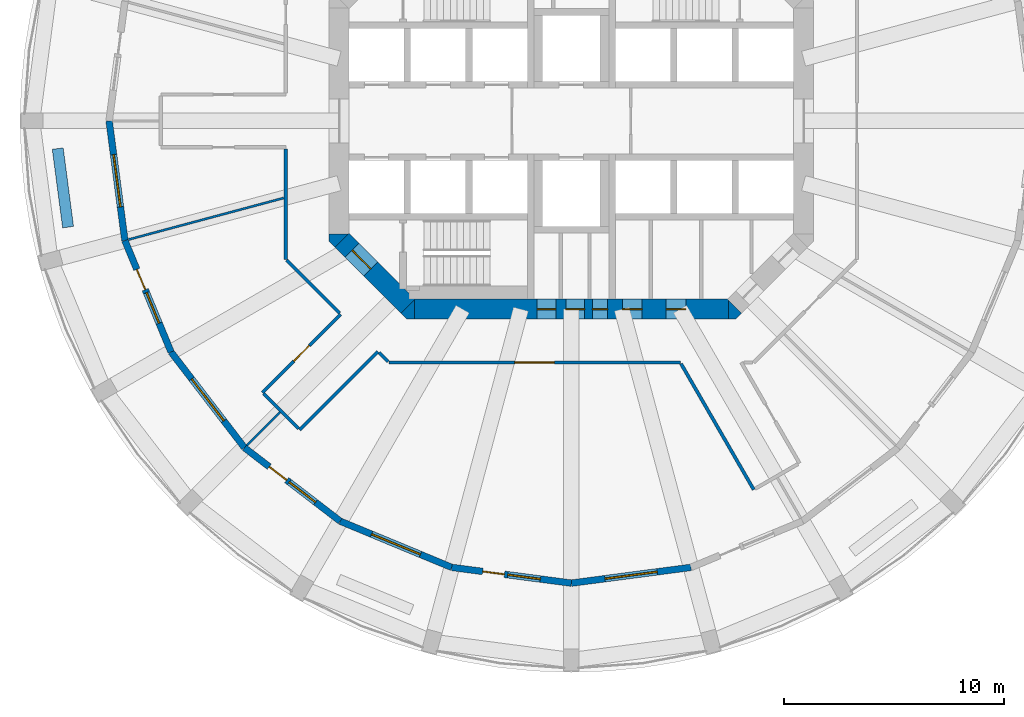
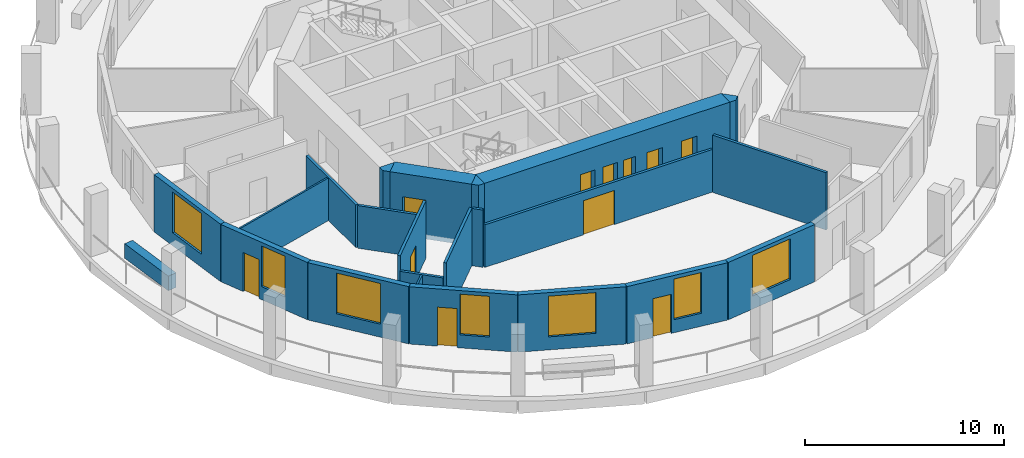
# One storey, part 2 of 8: 23 walls, 11 doors, 7 windows, 18 openings.
"""IFC4 building model written with IfcOpenShell, lengths in metres."""

from ifc_helpers import new_model, si_unit, direction, frame, frame_2d, origin, place, context, subcontext, project, spatial, polyline, rectangle, outline, extrude, material, layer, layer_set, type_object, element, fill, save


model = new_model("IFC4")

# Units and contexts
model_context = context("Model", 3, precision=1e-05, world=origin(), true_north=direction((0.0, 1.0)))
body_context = subcontext(model_context, "Body", "Model", "MODEL_VIEW")
ifc_project = project(units=[si_unit("LENGTHUNIT", "METRE"), si_unit("AREAUNIT", "SQUARE_METRE"), si_unit("VOLUMEUNIT", "CUBIC_METRE"), si_unit("PLANEANGLEUNIT", "RADIAN"), si_unit("MASSUNIT", "GRAM", prefix="KILO")], contexts=[model_context])

# Site, building, storey
site_placement = place(None, origin())
site = spatial("IfcSite", under=ifc_project, at=site_placement, CompositionType="ELEMENT")
building_placement = place(site_placement, origin())
building = spatial("IfcBuilding", under=site, at=building_placement, Name="Torre Triforio", CompositionType="ELEMENT")
storey_placement = place(building_placement, frame((0.0, 0.0, 142.800048828125)))
storey = spatial("IfcBuildingStorey", under=building, at=storey_placement, Name="L32", CompositionType="ELEMENT", Elevation=142.800048828125)

# Wall, openings, doors
ifc_material_1 = material(Name="Concrete C60", Category="concrete")
ifc_layer_1 = layer(ifc_material_1, 0.89990234375)
ifc_layer_set_1 = layer_set([ifc_layer_1], Name="Concrete C60")
wall_type_1 = type_object("IfcWallType", Name="Core wall 900 mm C60 EI 120", PredefinedType="SHEAR", material=ifc_layer_set_1)
wall_1_placement = place(storey_placement, frame((-7.1298828125, -8.550048828125, -0.280029296875), z_axis=(0.0, 0.0, 1.0), x_axis=(1.0, 0.0, 0.0)))
wall_1 = element("IfcWall", 1, at=wall_1_placement, inside=storey, type_object=wall_type_1, Name="Core wall", PredefinedType="SHEAR", context=body_context, shape_type="SweptSolid", body=[
    extrude(rectangle(XDim=14.259765625, YDim=0.89990234375, at=frame_2d((7.1298828125, 0.0))), origin(), (0.0, 0.0, 1.0), 3.800048828125),
])
opening_1_placement = place(wall_1_placement, frame((8.080078125, 0.0, 0.280029296875)))
opening_1 = element("IfcOpeningElement", 2, at=opening_1_placement, cuts=wall_1, Name="Opening RISER-S", PredefinedType="OPENING", context=body_context, shape_type="SweptSolid", body=[
    extrude(rectangle(XDim=0.699951171875, YDim=2.10009765625, at=frame_2d((0.35009765625, 1.050048828125))), frame((0.0, 0.4599609375, 0.0), z_axis=(0.0, -1.0, 0.0), x_axis=(1.0, 0.0, 0.0)), (0.0, 0.0, 1.0), 0.919921875),
])
opening_2_placement = place(wall_1_placement, frame((5.580078125, 0.0, 0.280029296875)))
opening_2 = element("IfcOpeningElement", 3, at=opening_2_placement, cuts=wall_1, Name="Opening SW-01A", PredefinedType="OPENING", context=body_context, shape_type="SweptSolid", body=[
    extrude(rectangle(XDim=0.85009765625, YDim=2.10009765625, at=frame_2d((0.425048828125, 1.050048828125))), frame((0.0, 0.4599609375, 0.0), z_axis=(0.0, -1.0, 0.0), x_axis=(1.0, 0.0, 0.0)), (0.0, 0.0, 1.0), 0.919921875),
])
opening_3_placement = place(wall_1_placement, frame((6.8798828125, 0.0, 0.280029296875)))
opening_3 = element("IfcOpeningElement", 4, at=opening_3_placement, cuts=wall_1, Name="Opening SW-02", PredefinedType="OPENING", context=body_context, shape_type="SweptSolid", body=[
    extrude(rectangle(XDim=0.85009765625, YDim=2.10009765625, at=frame_2d((0.425048828125, 1.050048828125))), frame((0.0, 0.4599609375, 0.0), z_axis=(0.0, -1.0, 0.0), x_axis=(1.0, 0.0, 0.0)), (0.0, 0.0, 1.0), 0.919921875),
])
opening_4_placement = place(wall_1_placement, frame((9.445068359375, 0.0, 0.280029296875)))
opening_4 = element("IfcOpeningElement", 5, at=opening_4_placement, cuts=wall_1, Name="Opening SE-01A", PredefinedType="OPENING", context=body_context, shape_type="SweptSolid", body=[
    extrude(rectangle(XDim=0.89990234375, YDim=2.10009765625, at=frame_2d((0.449951171875, 1.050048828125))), frame((0.0, 0.4599609375, 0.0), z_axis=(0.0, -1.0, 0.0), x_axis=(1.0, 0.0, 0.0)), (0.0, 0.0, 1.0), 0.919921875),
])
opening_5_placement = place(wall_1_placement, frame((11.430908203125, 0.0, 0.280029296875)))
opening_5 = element("IfcOpeningElement", 6, at=opening_5_placement, cuts=wall_1, Name="Opening SE-02", PredefinedType="OPENING", context=body_context, shape_type="SweptSolid", body=[
    extrude(rectangle(XDim=0.89990234375, YDim=2.10009765625, at=frame_2d((0.449951171875, 1.050048828125))), frame((0.0, 0.4599609375, 0.0), z_axis=(0.0, -1.0, 0.0), x_axis=(1.0, 0.0, 0.0)), (0.0, 0.0, 1.0), 0.919921875),
])
ifc_material_2 = material(Name="Hollow metal fire door leaf")
door_type_1 = type_object("IfcDoorType", Name="Riser door 700 x 2100 EI 60", OperationType="NOTDEFINED", PredefinedType="DOOR", material=ifc_material_2)
door_1_placement = place(opening_1_placement, origin())
door_1 = element("IfcDoor", 7, at=door_1_placement, inside=storey, type_object=door_type_1, Name="Core door RISER-S", OperationType="SINGLE_SWING_RIGHT", OverallHeight=2.10009765625, OverallWidth=0.699951171875, PredefinedType="DOOR", context=body_context, shape_type="SweptSolid", body=[
    extrude(rectangle(XDim=0.699951171875, YDim=2.10009765625, at=frame_2d((0.35009765625, 1.050048828125))), frame((0.0, 0.02490234375, 0.0), z_axis=(0.0, -1.0, 0.0), x_axis=(1.0, 0.0, 0.0)), (0.0, 0.0, 1.0), 0.050048828125),
])
fill(opening_1, door_1)
door_type_2 = type_object("IfcDoorType", Name="Room door 850 x 2100 EI 60", OperationType="NOTDEFINED", PredefinedType="DOOR", material=ifc_material_2)
door_2_placement = place(opening_2_placement, origin())
door_2 = element("IfcDoor", 8, at=door_2_placement, inside=storey, type_object=door_type_2, Name="Core door SW-01", OperationType="SINGLE_SWING_RIGHT", OverallHeight=2.10009765625, OverallWidth=0.85009765625, PredefinedType="DOOR", context=body_context, shape_type="SweptSolid", body=[
    extrude(rectangle(XDim=0.85009765625, YDim=2.10009765625, at=frame_2d((0.425048828125, 1.050048828125))), frame((0.0, 0.02490234375, 0.0), z_axis=(0.0, -1.0, 0.0), x_axis=(1.0, 0.0, 0.0)), (0.0, 0.0, 1.0), 0.050048828125),
])
fill(opening_2, door_2)
door_3_placement = place(opening_3_placement, origin())
door_3 = element("IfcDoor", 9, at=door_3_placement, inside=storey, type_object=door_type_2, Name="Core door SW-02", OperationType="SINGLE_SWING_LEFT", OverallHeight=2.10009765625, OverallWidth=0.85009765625, PredefinedType="DOOR", context=body_context, shape_type="SweptSolid", body=[
    extrude(rectangle(XDim=0.85009765625, YDim=2.10009765625, at=frame_2d((0.425048828125, 1.050048828125))), frame((0.0, 0.02490234375, 0.0), z_axis=(0.0, -1.0, 0.0), x_axis=(1.0, 0.0, 0.0)), (0.0, 0.0, 1.0), 0.050048828125),
])
fill(opening_3, door_3)
door_type_3 = type_object("IfcDoorType", Name="Room door 900 x 2100 EI 60", OperationType="NOTDEFINED", PredefinedType="DOOR", material=ifc_material_2)
door_4_placement = place(opening_4_placement, origin())
door_4 = element("IfcDoor", 10, at=door_4_placement, inside=storey, type_object=door_type_3, Name="Core door SE-01", OperationType="SINGLE_SWING_RIGHT", OverallHeight=2.10009765625, OverallWidth=0.89990234375, PredefinedType="DOOR", context=body_context, shape_type="SweptSolid", body=[
    extrude(rectangle(XDim=0.89990234375, YDim=2.10009765625, at=frame_2d((0.449951171875, 1.050048828125))), frame((0.0, 0.02490234375, 0.0), z_axis=(0.0, -1.0, 0.0), x_axis=(1.0, 0.0, 0.0)), (0.0, 0.0, 1.0), 0.050048828125),
])
fill(opening_4, door_4)
door_5_placement = place(opening_5_placement, origin())
door_5 = element("IfcDoor", 11, at=door_5_placement, inside=storey, type_object=door_type_3, Name="Core door SE-02", OperationType="SINGLE_SWING_LEFT", OverallHeight=2.10009765625, OverallWidth=0.89990234375, PredefinedType="DOOR", context=body_context, shape_type="SweptSolid", body=[
    extrude(rectangle(XDim=0.89990234375, YDim=2.10009765625, at=frame_2d((0.449951171875, 1.050048828125))), frame((0.0, 0.02490234375, 0.0), z_axis=(0.0, -1.0, 0.0), x_axis=(1.0, 0.0, 0.0)), (0.0, 0.0, 1.0), 0.050048828125),
])
fill(opening_5, door_5)

# Wall, opening, door
wall_2_placement = place(storey_placement, frame((-7.418212890625, -8.418212890625, -0.280029296875), z_axis=(0.0, 0.0, 1.0), x_axis=(-0.707106781187, 0.707106781187, 0.0)))
wall_2 = element("IfcWall", 12, at=wall_2_placement, inside=storey, type_object=wall_type_1, Name="Core wall", PredefinedType="SHEAR", context=body_context, shape_type="SweptSolid", body=[
    extrude(rectangle(XDim=4.24267578125, YDim=0.89990234375, at=frame_2d((2.121337890625, 0.0))), origin(), (0.0, 0.0, 1.0), 3.800048828125),
])
opening_6_placement = place(wall_2_placement, frame((2.392578125, 0.0, 0.280029296875)))
opening_6 = element("IfcOpeningElement", 13, at=opening_6_placement, cuts=wall_2, Name="Opening ST3-EXIT", PredefinedType="OPENING", context=body_context, shape_type="SweptSolid", body=[
    extrude(rectangle(XDim=1.199951171875, YDim=2.10009765625, at=frame_2d((0.60009765625, 1.050048828125))), frame((0.0, 0.4599609375, 0.0), z_axis=(0.0, -1.0, 0.0), x_axis=(1.0, 0.0, 0.0)), (0.0, 0.0, 1.0), 0.919921875),
])
door_type_4 = type_object("IfcDoorType", Name="Stair lobby door 1200 x 2100 EI 60", OperationType="NOTDEFINED", PredefinedType="DOOR", material=ifc_material_2)
door_6_placement = place(opening_6_placement, origin())
door_6 = element("IfcDoor", 14, at=door_6_placement, inside=storey, type_object=door_type_4, Name="Core door ST3-EXIT", OperationType="SINGLE_SWING_RIGHT", OverallHeight=2.10009765625, OverallWidth=1.199951171875, PredefinedType="DOOR", context=body_context, shape_type="SweptSolid", body=[
    extrude(rectangle(XDim=1.199951171875, YDim=2.10009765625, at=frame_2d((0.60009765625, 1.050048828125))), frame((0.0, 0.02490234375, 0.0), z_axis=(0.0, -1.0, 0.0), x_axis=(1.0, 0.0, 0.0)), (0.0, 0.0, 1.0), 0.050048828125),
])
fill(opening_6, door_6)

# Walls
wall_3_placement = place(storey_placement, frame((0.0, 0.0, -0.280029296875)))
element("IfcWall", 15, at=wall_3_placement, inside=storey, type_object=wall_type_1, Name="Core wall", PredefinedType="SHEAR", context=body_context, shape_type="SweptSolid", body=[
    extrude(outline(polyline([(-7.472900390625, -9.0), (-7.736328125, -8.736328125), (-7.1298828125, -8.1298828125), (-7.1298828125, -9.0), (-7.472900390625, -9.0)])), origin(), (0.0, 0.0, 1.0), 3.800048828125),
])
wall_4_placement = place(storey_placement, frame((0.0, 0.0, -0.280029296875)))
element("IfcWall", 16, at=wall_4_placement, inside=storey, type_object=wall_type_1, Name="Core wall", PredefinedType="SHEAR", context=body_context, shape_type="SweptSolid", body=[
    extrude(outline(polyline([(7.472900390625, -9.0), (7.1298828125, -9.0), (7.1298828125, -8.1298828125), (7.736328125, -8.736328125), (7.472900390625, -9.0)])), origin(), (0.0, 0.0, 1.0), 3.800048828125),
])
wall_5_placement = place(storey_placement, frame((0.0, 0.0, -0.280029296875)))
element("IfcWall", 17, at=wall_5_placement, inside=storey, type_object=wall_type_1, Name="Core wall", PredefinedType="SHEAR", context=body_context, shape_type="SweptSolid", body=[
    extrude(outline(polyline([(-11.0, -5.472900390625), (-11.0, -5.1298828125), (-10.1298828125, -5.1298828125), (-10.736328125, -5.736328125), (-11.0, -5.472900390625)])), origin(), (0.0, 0.0, 1.0), 3.800048828125),
])

# Wall, opening, door
ifc_material_3 = material(Name="Plasterboard on metal studs")
ifc_layer_2 = layer(ifc_material_3, 0.14990234375)
ifc_layer_set_2 = layer_set([ifc_layer_2], Name="Plasterboard on metal studs")
wall_type_2 = type_object("IfcWallType", Name="Corridor and tenancy wall 150 mm EI 60", PredefinedType="PARTITIONING", material=ifc_layer_set_2)
wall_6_placement = place(storey_placement, frame((-14.03515625, -12.338134765625, 0.0), z_axis=(0.0, 0.0, 1.0), x_axis=(0.707106781187, 0.707106781187, 0.0)))
wall_6 = element("IfcWall", 18, at=wall_6_placement, inside=storey, type_object=wall_type_2, Name="Partition 1", PredefinedType="PARTITIONING", context=body_context, shape_type="SweptSolid", body=[
    extrude(rectangle(XDim=5.025634765625, YDim=0.14990234375, at=frame_2d((2.5126953125, 0.0))), origin(), (0.0, 0.0, 1.0), 3.52001953125),
])
opening_7_placement = place(wall_6_placement, frame((2.0126953125, 0.0, 0.0)))
opening_7 = element("IfcOpeningElement", 19, at=opening_7_placement, cuts=wall_6, Name="Opening D3-05", PredefinedType="OPENING", context=body_context, shape_type="SweptSolid", body=[
    extrude(rectangle(XDim=1.0, YDim=2.10009765625, at=frame_2d((0.5, 1.050048828125))), frame((0.0, 0.0849609375, 0.0), z_axis=(0.0, -1.0, 0.0), x_axis=(1.0, 0.0, 0.0)), (0.0, 0.0, 1.0), 0.169921875),
])
ifc_material_4 = material(Name="Timber", Category="wood")
door_type_5 = type_object("IfcDoorType", Name="Door 1000 x 2100 single leaf EI 30", OperationType="NOTDEFINED", PredefinedType="DOOR", material=ifc_material_4)
door_7_placement = place(opening_7_placement, origin())
door_7 = element("IfcDoor", 20, at=door_7_placement, inside=storey, type_object=door_type_5, Name="Door D3-05", OperationType="SINGLE_SWING_RIGHT", OverallHeight=2.10009765625, OverallWidth=1.0, PredefinedType="DOOR", context=body_context, shape_type="SweptSolid", body=[
    extrude(rectangle(XDim=1.0, YDim=2.10009765625, at=frame_2d((0.5, 1.050048828125))), frame((0.0, 0.02490234375, 0.0), z_axis=(0.0, -1.0, 0.0), x_axis=(1.0, 0.0, 0.0)), (0.0, 0.0, 1.0), 0.050048828125),
])
fill(opening_7, door_7)

# Walls
wall_7_placement = place(storey_placement, frame((-10.534423828125, -8.7314453125, 0.0), z_axis=(0.0, 0.0, 1.0), x_axis=(-0.707106781187, 0.707106781187, 0.0)))
element("IfcWall", 21, at=wall_7_placement, inside=storey, type_object=wall_type_2, Name="Partition 2", PredefinedType="PARTITIONING", context=body_context, shape_type="SweptSolid", body=[
    extrude(rectangle(XDim=3.399169921875, YDim=0.14990234375, at=frame_2d((1.69970703125, 0.0))), origin(), (0.0, 0.0, 1.0), 2.619873046875),
])
wall_8_placement = place(storey_placement, frame((-12.97509765625, -6.291015625, 0.0), z_axis=(0.0, 0.0, 1.0), x_axis=(0.0, 1.0, 0.0)))
element("IfcWall", 22, at=wall_8_placement, inside=storey, type_object=wall_type_2, Name="Partition 3", PredefinedType="PARTITIONING", context=body_context, shape_type="SweptSolid", body=[
    extrude(rectangle(XDim=5.01611328125, YDim=0.14990234375, at=frame_2d((2.508056640625, 0.0))), origin(), (0.0, 0.0, 1.0), 2.619873046875),
])
wall_9_placement = place(storey_placement, frame((8.28515625, -16.750244140625, 0.0), z_axis=(0.0, 0.0, 1.0), x_axis=(-0.499988075443, 0.866032288321, 0.0)))
element("IfcWall", 23, at=wall_9_placement, inside=storey, type_object=wall_type_2, Name="Partition 25", PredefinedType="PARTITIONING", context=body_context, shape_type="SweptSolid", body=[
    extrude(rectangle(XDim=6.603759765625, YDim=0.14990234375, at=frame_2d((3.3017578125, 0.0))), origin(), (0.0, 0.0, 1.0), 3.52001953125),
])

# Wall, opening, door
wall_10_placement = place(storey_placement, frame((4.95068359375, -10.97509765625, 0.0), z_axis=(0.0, 0.0, 1.0), x_axis=(-1.0, 0.0, 0.0)))
wall_10 = element("IfcWall", 24, at=wall_10_placement, inside=storey, type_object=wall_type_2, Name="Partition 26", PredefinedType="PARTITIONING", context=body_context, shape_type="SweptSolid", body=[
    extrude(rectangle(XDim=13.24169921875, YDim=0.14990234375, at=frame_2d((6.620849609375, 0.0))), origin(), (0.0, 0.0, 1.0), 2.619873046875),
])
opening_8_placement = place(wall_10_placement, frame((5.720703125, 0.0, 0.0)))
opening_8 = element("IfcOpeningElement", 25, at=opening_8_placement, cuts=wall_10, Name="Opening D3-06", PredefinedType="OPENING", context=body_context, shape_type="SweptSolid", body=[
    extrude(rectangle(XDim=1.800048828125, YDim=2.10009765625, at=frame_2d((0.89990234375, 1.050048828125))), frame((0.0, 0.0849609375, 0.0), z_axis=(0.0, -1.0, 0.0), x_axis=(1.0, 0.0, 0.0)), (0.0, 0.0, 1.0), 0.169921875),
])
door_type_6 = type_object("IfcDoorType", Name="Door 1800 x 2100 double leaf EI 30", OperationType="DOUBLE_DOOR_SINGLE_SWING", PredefinedType="DOOR", material=ifc_material_4)
door_8_placement = place(opening_8_placement, origin())
door_8 = element("IfcDoor", 26, at=door_8_placement, inside=storey, type_object=door_type_6, Name="Door D3-06", OperationType="DOUBLE_DOOR_SINGLE_SWING", OverallHeight=2.10009765625, OverallWidth=1.800048828125, PredefinedType="DOOR", context=body_context, shape_type="SweptSolid", body=[
    extrude(rectangle(XDim=1.800048828125, YDim=2.10009765625, at=frame_2d((0.89990234375, 1.050048828125))), frame((0.0, 0.02490234375, 0.0), z_axis=(0.0, -1.0, 0.0), x_axis=(1.0, 0.0, 0.0)), (0.0, 0.0, 1.0), 0.050048828125),
])
fill(opening_8, door_8)

# Walls
wall_11_placement = place(storey_placement, frame((-8.327880859375, -10.93798828125, 0.0), z_axis=(0.0, 0.0, 1.0), x_axis=(-0.707106781187, 0.707106781187, 0.0)))
element("IfcWall", 27, at=wall_11_placement, inside=storey, type_object=wall_type_2, Name="Partition 27", PredefinedType="PARTITIONING", context=body_context, shape_type="SweptSolid", body=[
    extrude(rectangle(XDim=0.57080078125, YDim=0.14990234375, at=frame_2d((0.285400390625, 0.0))), origin(), (0.0, 0.0, 1.0), 3.52001953125),
])
wall_12_placement = place(storey_placement, frame((-8.784423828125, -10.4814453125, 0.0), z_axis=(0.0, 0.0, 1.0), x_axis=(-0.707106781187, -0.707106781187, 0.0)))
element("IfcWall", 28, at=wall_12_placement, inside=storey, type_object=wall_type_2, Name="Partition 28", PredefinedType="PARTITIONING", context=body_context, shape_type="SweptSolid", body=[
    extrude(rectangle(XDim=5.025634765625, YDim=0.14990234375, at=frame_2d((2.5126953125, 0.0))), origin(), (0.0, 0.0, 1.0), 3.52001953125),
])
wall_13_placement = place(storey_placement, frame((-12.39111328125, -13.982177734375, 0.0), z_axis=(0.0, 0.0, 1.0), x_axis=(-0.707106781187, 0.707106781187, 0.0)))
element("IfcWall", 29, at=wall_13_placement, inside=storey, type_object=wall_type_2, Name="Partition 29", PredefinedType="PARTITIONING", context=body_context, shape_type="SweptSolid", body=[
    extrude(rectangle(XDim=2.25, YDim=0.14990234375, at=frame_2d((1.125, 0.0))), origin(), (0.0, 0.0, 1.0), 2.619873046875),
])
ifc_layer_3 = layer(ifc_material_3, 0.10009765625)
ifc_layer_set_3 = layer_set([ifc_layer_3], Name="Plasterboard on metal studs")
wall_type_3 = type_object("IfcWallType", Name="Partition 100 mm board on metal studs", PredefinedType="PARTITIONING", material=ifc_layer_set_3)
wall_14_placement = place(storey_placement, frame((-13.064208984375, -3.50048828125, 0.0), z_axis=(0.0, 0.0, 1.0), x_axis=(-0.965927781613, -0.258811747624, 0.0)))
element("IfcWall", 30, at=wall_14_placement, inside=storey, type_object=wall_type_3, Name="Partition 38", PredefinedType="PARTITIONING", context=body_context, shape_type="SweptSolid", body=[
    extrude(rectangle(XDim=7.3115234375, YDim=0.10009765625, at=frame_2d((3.65576171875, 0.0))), origin(), (0.0, 0.0, 1.0), 2.619873046875),
])
wall_15_placement = place(storey_placement, frame((-13.23974609375, -13.23974609375, 0.0), z_axis=(0.0, 0.0, 1.0), x_axis=(-0.707106781187, -0.707106781187, 0.0)))
element("IfcWall", 31, at=wall_15_placement, inside=storey, type_object=wall_type_3, Name="Partition 39", PredefinedType="PARTITIONING", context=body_context, shape_type="SweptSolid", body=[
    extrude(rectangle(XDim=2.113037109375, YDim=0.10009765625, at=frame_2d((1.056640625, 0.0))), origin(), (0.0, 0.0, 1.0), 2.619873046875),
])
ifc_material_5 = material(Name="Limestone cladding", Category="masonry")
ifc_layer_4 = layer(ifc_material_5, 0.10009765625)
ifc_material_6 = material(Name="Concrete C40", Category="concrete")
ifc_layer_5 = layer(ifc_material_6, 0.39990234375)
ifc_layer_set_4 = layer_set([ifc_layer_4, ifc_layer_5], Name="Limestone cladding / Concrete C40")
wall_type_4 = type_object("IfcWallType", Name="Planter wall 500", PredefinedType="PARAPET", material=ifc_layer_set_4)
wall_16_placement = place(storey_placement, frame((-23.335693359375, -1.256591796875, 0.0), z_axis=(0.0, 0.0, 1.0), x_axis=(0.130542222659, -0.991442750795, 0.0)))
element("IfcWall", 32, at=wall_16_placement, inside=storey, type_object=wall_type_4, Name="Planter L32 bay 13", PredefinedType="PARAPET", context=body_context, shape_type="SweptSolid", body=[
    extrude(rectangle(XDim=3.60009765625, YDim=0.5, at=frame_2d((1.800048828125, 0.0))), origin(), (0.0, 0.0, 1.0), 0.89990234375),
])

# Wall, opening, window
ifc_layer_6 = layer(ifc_material_5, 0.10009765625)
ifc_layer_7 = layer(ifc_material_6, 0.199951171875)
ifc_layer_set_5 = layer_set([ifc_layer_6, ifc_layer_7], Name="Limestone cladding / Concrete C40")
wall_type_5 = type_object("IfcWallType", Name="Stone-faced composite wall 300", PredefinedType="STANDARD", material=ifc_layer_set_5)
wall_17_placement = place(storey_placement, frame((-21.0, 0.0, 0.0), z_axis=(0.0, 0.0, 1.0), x_axis=(0.130527087244, -0.991444743541, 0.0)))
wall_17 = element("IfcWall", 33, at=wall_17_placement, inside=storey, type_object=wall_type_5, Name="External wall L32 bay 13", PredefinedType="STANDARD", context=body_context, shape_type="SweptSolid", body=[
    extrude(rectangle(XDim=5.482177734375, YDim=0.300048828125, at=frame_2d((2.7412109375, 0.0))), origin(), (0.0, 0.0, 1.0), 3.52001953125),
])
opening_9_placement = place(wall_17_placement, frame((1.541015625, 0.0, 0.800048828125)))
opening_9 = element("IfcOpeningElement", 34, at=opening_9_placement, cuts=wall_17, Name="Opening D3-W13", PredefinedType="OPENING", context=body_context, shape_type="SweptSolid", body=[
    extrude(rectangle(XDim=2.39990234375, YDim=2.5, at=frame_2d((1.199951171875, 1.25))), frame((0.0, 0.159912109375, 0.0), z_axis=(0.0, -1.0, 0.0), x_axis=(1.0, 0.0, 0.0)), (0.0, 0.0, 1.0), 0.320068359375),
])
ifc_material_7 = material(Name="Aluminium frame with clear double glazing", Category="aluminium")
window_type_1 = type_object("IfcWindowType", Name="Punched window 2400 x 2500", PartitioningType="DOUBLE_PANEL_VERTICAL", PredefinedType="WINDOW", material=ifc_material_7)
window_1_placement = place(opening_9_placement, origin())
window_1 = element("IfcWindow", 35, at=window_1_placement, inside=storey, type_object=window_type_1, Name="Window EWN3 L32 bay 13", OverallHeight=2.5, OverallWidth=2.39990234375, PartitioningType="SINGLE_PANEL", PredefinedType="WINDOW", context=body_context, shape_type="SweptSolid", body=[
    extrude(rectangle(XDim=2.39990234375, YDim=2.5, at=frame_2d((1.199951171875, 1.25))), frame((0.0, 0.030029296875, 0.0), z_axis=(0.0, -1.0, 0.0), x_axis=(1.0, 0.0, 0.0)), (0.0, 0.0, 1.0), 0.06005859375),
])
fill(opening_9, window_1)

# Wall, openings, door, window
wall_18_placement = place(storey_placement, frame((-20.284423828125, -5.435302734375, 0.0), z_axis=(0.0, 0.0, 1.0), x_axis=(0.382688740813, -0.923877333662, 0.0)))
wall_18 = element("IfcWall", 36, at=wall_18_placement, inside=storey, type_object=wall_type_5, Name="External wall L32 bay 14", PredefinedType="STANDARD", context=body_context, shape_type="SweptSolid", body=[
    extrude(rectangle(XDim=5.48193359375, YDim=0.300048828125, at=frame_2d((2.740966796875, 0.0))), origin(), (0.0, 0.0, 1.0), 3.52001953125),
])
opening_10_placement = place(wall_18_placement, frame((1.416015625, 0.0, 0.0)))
opening_10 = element("IfcOpeningElement", 37, at=opening_10_placement, cuts=wall_18, Name="Opening D3-D14", PredefinedType="OPENING", context=body_context, shape_type="SweptSolid", body=[
    extrude(rectangle(XDim=1.0, YDim=2.39990234375, at=frame_2d((0.5, 1.199951171875))), frame((0.0, 0.159912109375, 0.0), z_axis=(0.0, -1.0, 0.0), x_axis=(1.0, 0.0, 0.0)), (0.0, 0.0, 1.0), 0.320068359375),
])
opening_11_placement = place(wall_18_placement, frame((2.566162109375, 0.0, 0.800048828125)))
opening_11 = element("IfcOpeningElement", 38, at=opening_11_placement, cuts=wall_18, Name="Opening D3-W14A", PredefinedType="OPENING", context=body_context, shape_type="SweptSolid", body=[
    extrude(rectangle(XDim=1.5, YDim=2.5, at=frame_2d((0.75, 1.25))), frame((0.0, 0.159912109375, 0.0), z_axis=(0.0, -1.0, 0.0), x_axis=(1.0, 0.0, 0.0)), (0.0, 0.0, 1.0), 0.320068359375),
])
door_type_7 = type_object("IfcDoorType", Name="Loggia door 1000 x 2400", OperationType="NOTDEFINED", PredefinedType="DOOR", material=ifc_material_7)
door_9_placement = place(opening_10_placement, origin())
door_9 = element("IfcDoor", 39, at=door_9_placement, inside=storey, type_object=door_type_7, Name="Loggia door L32 bay 14", OperationType="SINGLE_SWING_LEFT", OverallHeight=2.39990234375, OverallWidth=1.0, PredefinedType="DOOR", context=body_context, shape_type="SweptSolid", body=[
    extrude(rectangle(XDim=1.0, YDim=2.39990234375, at=frame_2d((0.5, 1.199951171875))), frame((0.0, 0.02490234375, 0.0), z_axis=(0.0, -1.0, 0.0), x_axis=(1.0, 0.0, 0.0)), (0.0, 0.0, 1.0), 0.050048828125),
])
fill(opening_10, door_9)
window_type_2 = type_object("IfcWindowType", Name="Side window 1500 x 2500", PartitioningType="SINGLE_PANEL", PredefinedType="WINDOW", material=ifc_material_7)
window_2_placement = place(opening_11_placement, origin())
window_2 = element("IfcWindow", 40, at=window_2_placement, inside=storey, type_object=window_type_2, Name="Side window EWN13 L32 bay 14", OverallHeight=2.5, OverallWidth=1.5, PartitioningType="SINGLE_PANEL", PredefinedType="WINDOW", context=body_context, shape_type="SweptSolid", body=[
    extrude(rectangle(XDim=1.5, YDim=2.5, at=frame_2d((0.75, 1.25))), frame((0.0, 0.030029296875, 0.0), z_axis=(0.0, -1.0, 0.0), x_axis=(1.0, 0.0, 0.0)), (0.0, 0.0, 1.0), 0.06005859375),
])
fill(opening_11, window_2)

# Wall, opening, window
wall_19_placement = place(storey_placement, frame((-18.1865234375, -10.5, 0.0), z_axis=(0.0, 0.0, 1.0), x_axis=(0.608784891166, -0.793335336593, 0.0)))
wall_19 = element("IfcWall", 41, at=wall_19_placement, inside=storey, type_object=wall_type_5, Name="External wall L32 bay 15", PredefinedType="STANDARD", context=body_context, shape_type="SweptSolid", body=[
    extrude(rectangle(XDim=5.482177734375, YDim=0.300048828125, at=frame_2d((2.7412109375, 0.0))), origin(), (0.0, 0.0, 1.0), 3.52001953125),
])
opening_12_placement = place(wall_19_placement, frame((1.541015625, 0.0, 0.800048828125)))
opening_12 = element("IfcOpeningElement", 42, at=opening_12_placement, cuts=wall_19, Name="Opening D3-W15", PredefinedType="OPENING", context=body_context, shape_type="SweptSolid", body=[
    extrude(rectangle(XDim=2.39990234375, YDim=2.5, at=frame_2d((1.199951171875, 1.25))), frame((0.0, 0.159912109375, 0.0), z_axis=(0.0, -1.0, 0.0), x_axis=(1.0, 0.0, 0.0)), (0.0, 0.0, 1.0), 0.320068359375),
])
window_3_placement = place(opening_12_placement, origin())
window_3 = element("IfcWindow", 43, at=window_3_placement, inside=storey, type_object=window_type_1, Name="Window EWN3 L32 bay 15", OverallHeight=2.5, OverallWidth=2.39990234375, PartitioningType="SINGLE_PANEL", PredefinedType="WINDOW", context=body_context, shape_type="SweptSolid", body=[
    extrude(rectangle(XDim=2.39990234375, YDim=2.5, at=frame_2d((1.199951171875, 1.25))), frame((0.0, 0.030029296875, 0.0), z_axis=(0.0, -1.0, 0.0), x_axis=(1.0, 0.0, 0.0)), (0.0, 0.0, 1.0), 0.06005859375),
])
fill(opening_12, window_3)

# Wall, openings, door, window
wall_20_placement = place(storey_placement, frame((-14.84912109375, -14.84912109375, 0.0), z_axis=(0.0, 0.0, 1.0), x_axis=(0.793335336593, -0.608784891166, 0.0)))
wall_20 = element("IfcWall", 44, at=wall_20_placement, inside=storey, type_object=wall_type_5, Name="External wall L32 bay 16", PredefinedType="STANDARD", context=body_context, shape_type="SweptSolid", body=[
    extrude(rectangle(XDim=5.482177734375, YDim=0.300048828125, at=frame_2d((2.7412109375, 0.0))), origin(), (0.0, 0.0, 1.0), 3.52001953125),
])
opening_13_placement = place(wall_20_placement, frame((1.416015625, 0.0, 0.0)))
opening_13 = element("IfcOpeningElement", 45, at=opening_13_placement, cuts=wall_20, Name="Opening D3-D16", PredefinedType="OPENING", context=body_context, shape_type="SweptSolid", body=[
    extrude(rectangle(XDim=1.0, YDim=2.39990234375, at=frame_2d((0.5, 1.199951171875))), frame((0.0, 0.159912109375, 0.0), z_axis=(0.0, -1.0, 0.0), x_axis=(1.0, 0.0, 0.0)), (0.0, 0.0, 1.0), 0.320068359375),
])
opening_14_placement = place(wall_20_placement, frame((2.56591796875, 0.0, 0.800048828125)))
opening_14 = element("IfcOpeningElement", 46, at=opening_14_placement, cuts=wall_20, Name="Opening D3-W16A", PredefinedType="OPENING", context=body_context, shape_type="SweptSolid", body=[
    extrude(rectangle(XDim=1.5, YDim=2.5, at=frame_2d((0.75, 1.25))), frame((0.0, 0.159912109375, 0.0), z_axis=(0.0, -1.0, 0.0), x_axis=(1.0, 0.0, 0.0)), (0.0, 0.0, 1.0), 0.320068359375),
])
door_10_placement = place(opening_13_placement, origin())
door_10 = element("IfcDoor", 47, at=door_10_placement, inside=storey, type_object=door_type_7, Name="Loggia door L32 bay 16", OperationType="SINGLE_SWING_LEFT", OverallHeight=2.39990234375, OverallWidth=1.0, PredefinedType="DOOR", context=body_context, shape_type="SweptSolid", body=[
    extrude(rectangle(XDim=1.0, YDim=2.39990234375, at=frame_2d((0.5, 1.199951171875))), frame((0.0, 0.02490234375, 0.0), z_axis=(0.0, -1.0, 0.0), x_axis=(1.0, 0.0, 0.0)), (0.0, 0.0, 1.0), 0.050048828125),
])
fill(opening_13, door_10)
window_4_placement = place(opening_14_placement, origin())
window_4 = element("IfcWindow", 48, at=window_4_placement, inside=storey, type_object=window_type_2, Name="Side window EWN13 L32 bay 16", OverallHeight=2.5, OverallWidth=1.5, PartitioningType="SINGLE_PANEL", PredefinedType="WINDOW", context=body_context, shape_type="SweptSolid", body=[
    extrude(rectangle(XDim=1.5, YDim=2.5, at=frame_2d((0.75, 1.25))), frame((0.0, 0.030029296875, 0.0), z_axis=(0.0, -1.0, 0.0), x_axis=(1.0, 0.0, 0.0)), (0.0, 0.0, 1.0), 0.06005859375),
])
fill(opening_14, window_4)

# Wall, opening, window
wall_21_placement = place(storey_placement, frame((-10.5, -18.1865234375, 0.0), z_axis=(0.0, 0.0, 1.0), x_axis=(0.923877333662, -0.382688740813, 0.0)))
wall_21 = element("IfcWall", 49, at=wall_21_placement, inside=storey, type_object=wall_type_5, Name="External wall L32 bay 17", PredefinedType="STANDARD", context=body_context, shape_type="SweptSolid", body=[
    extrude(rectangle(XDim=5.48193359375, YDim=0.300048828125, at=frame_2d((2.740966796875, 0.0))), origin(), (0.0, 0.0, 1.0), 3.52001953125),
])
opening_15_placement = place(wall_21_placement, frame((1.541015625, 0.0, 0.800048828125)))
opening_15 = element("IfcOpeningElement", 50, at=opening_15_placement, cuts=wall_21, Name="Opening D3-W17", PredefinedType="OPENING", context=body_context, shape_type="SweptSolid", body=[
    extrude(rectangle(XDim=2.39990234375, YDim=2.5, at=frame_2d((1.199951171875, 1.25))), frame((0.0, 0.159912109375, 0.0), z_axis=(0.0, -1.0, 0.0), x_axis=(1.0, 0.0, 0.0)), (0.0, 0.0, 1.0), 0.320068359375),
])
window_5_placement = place(opening_15_placement, origin())
window_5 = element("IfcWindow", 51, at=window_5_placement, inside=storey, type_object=window_type_1, Name="Window EWN3 L32 bay 17", OverallHeight=2.5, OverallWidth=2.39990234375, PartitioningType="SINGLE_PANEL", PredefinedType="WINDOW", context=body_context, shape_type="SweptSolid", body=[
    extrude(rectangle(XDim=2.39990234375, YDim=2.5, at=frame_2d((1.199951171875, 1.25))), frame((0.0, 0.030029296875, 0.0), z_axis=(0.0, -1.0, 0.0), x_axis=(1.0, 0.0, 0.0)), (0.0, 0.0, 1.0), 0.06005859375),
])
fill(opening_15, window_5)

# Wall, openings, door, window
wall_22_placement = place(storey_placement, frame((-5.435302734375, -20.284423828125, 0.0), z_axis=(0.0, 0.0, 1.0), x_axis=(0.991444743541, -0.130527087244, 0.0)))
wall_22 = element("IfcWall", 52, at=wall_22_placement, inside=storey, type_object=wall_type_5, Name="External wall L32 bay 18", PredefinedType="STANDARD", context=body_context, shape_type="SweptSolid", body=[
    extrude(rectangle(XDim=5.482177734375, YDim=0.300048828125, at=frame_2d((2.7412109375, 0.0))), origin(), (0.0, 0.0, 1.0), 3.52001953125),
])
opening_16_placement = place(wall_22_placement, frame((1.416015625, 0.0, 0.0)))
opening_16 = element("IfcOpeningElement", 53, at=opening_16_placement, cuts=wall_22, Name="Opening D3-D18", PredefinedType="OPENING", context=body_context, shape_type="SweptSolid", body=[
    extrude(rectangle(XDim=1.0, YDim=2.39990234375, at=frame_2d((0.5, 1.199951171875))), frame((0.0, 0.159912109375, 0.0), z_axis=(0.0, -1.0, 0.0), x_axis=(1.0, 0.0, 0.0)), (0.0, 0.0, 1.0), 0.320068359375),
])
opening_17_placement = place(wall_22_placement, frame((2.566162109375, 0.0, 0.800048828125)))
opening_17 = element("IfcOpeningElement", 54, at=opening_17_placement, cuts=wall_22, Name="Opening D3-W18A", PredefinedType="OPENING", context=body_context, shape_type="SweptSolid", body=[
    extrude(rectangle(XDim=1.5, YDim=2.5, at=frame_2d((0.75, 1.25))), frame((0.0, 0.159912109375, 0.0), z_axis=(0.0, -1.0, 0.0), x_axis=(1.0, 0.0, 0.0)), (0.0, 0.0, 1.0), 0.320068359375),
])
door_11_placement = place(opening_16_placement, origin())
door_11 = element("IfcDoor", 55, at=door_11_placement, inside=storey, type_object=door_type_7, Name="Loggia door L32 bay 18", OperationType="SINGLE_SWING_LEFT", OverallHeight=2.39990234375, OverallWidth=1.0, PredefinedType="DOOR", context=body_context, shape_type="SweptSolid", body=[
    extrude(rectangle(XDim=1.0, YDim=2.39990234375, at=frame_2d((0.5, 1.199951171875))), frame((0.0, 0.02490234375, 0.0), z_axis=(0.0, -1.0, 0.0), x_axis=(1.0, 0.0, 0.0)), (0.0, 0.0, 1.0), 0.050048828125),
])
fill(opening_16, door_11)
window_6_placement = place(opening_17_placement, origin())
window_6 = element("IfcWindow", 56, at=window_6_placement, inside=storey, type_object=window_type_2, Name="Side window EWN13 L32 bay 18", OverallHeight=2.5, OverallWidth=1.5, PartitioningType="SINGLE_PANEL", PredefinedType="WINDOW", context=body_context, shape_type="SweptSolid", body=[
    extrude(rectangle(XDim=1.5, YDim=2.5, at=frame_2d((0.75, 1.25))), frame((0.0, 0.030029296875, 0.0), z_axis=(0.0, -1.0, 0.0), x_axis=(1.0, 0.0, 0.0)), (0.0, 0.0, 1.0), 0.06005859375),
])
fill(opening_17, window_6)

# Wall, opening, window
wall_23_placement = place(storey_placement, frame((0.0, -21.0, 0.0), z_axis=(0.0, 0.0, 1.0), x_axis=(0.991444743541, 0.130527087244, 0.0)))
wall_23 = element("IfcWall", 57, at=wall_23_placement, inside=storey, type_object=wall_type_5, Name="External wall L32 bay 19", PredefinedType="STANDARD", context=body_context, shape_type="SweptSolid", body=[
    extrude(rectangle(XDim=5.482177734375, YDim=0.300048828125, at=frame_2d((2.7412109375, 0.0))), origin(), (0.0, 0.0, 1.0), 3.52001953125),
])
opening_18_placement = place(wall_23_placement, frame((1.541015625, 0.0, 0.800048828125)))
opening_18 = element("IfcOpeningElement", 58, at=opening_18_placement, cuts=wall_23, Name="Opening D3-W19", PredefinedType="OPENING", context=body_context, shape_type="SweptSolid", body=[
    extrude(rectangle(XDim=2.39990234375, YDim=2.5, at=frame_2d((1.199951171875, 1.25))), frame((0.0, 0.159912109375, 0.0), z_axis=(0.0, -1.0, 0.0), x_axis=(1.0, 0.0, 0.0)), (0.0, 0.0, 1.0), 0.320068359375),
])
window_7_placement = place(opening_18_placement, origin())
window_7 = element("IfcWindow", 59, at=window_7_placement, inside=storey, type_object=window_type_1, Name="Window EWN3 L32 bay 19", OverallHeight=2.5, OverallWidth=2.39990234375, PartitioningType="SINGLE_PANEL", PredefinedType="WINDOW", context=body_context, shape_type="SweptSolid", body=[
    extrude(rectangle(XDim=2.39990234375, YDim=2.5, at=frame_2d((1.199951171875, 1.25))), frame((0.0, 0.030029296875, 0.0), z_axis=(0.0, -1.0, 0.0), x_axis=(1.0, 0.0, 0.0)), (0.0, 0.0, 1.0), 0.06005859375),
])
fill(opening_18, window_7)

save(model, "model.ifc")
